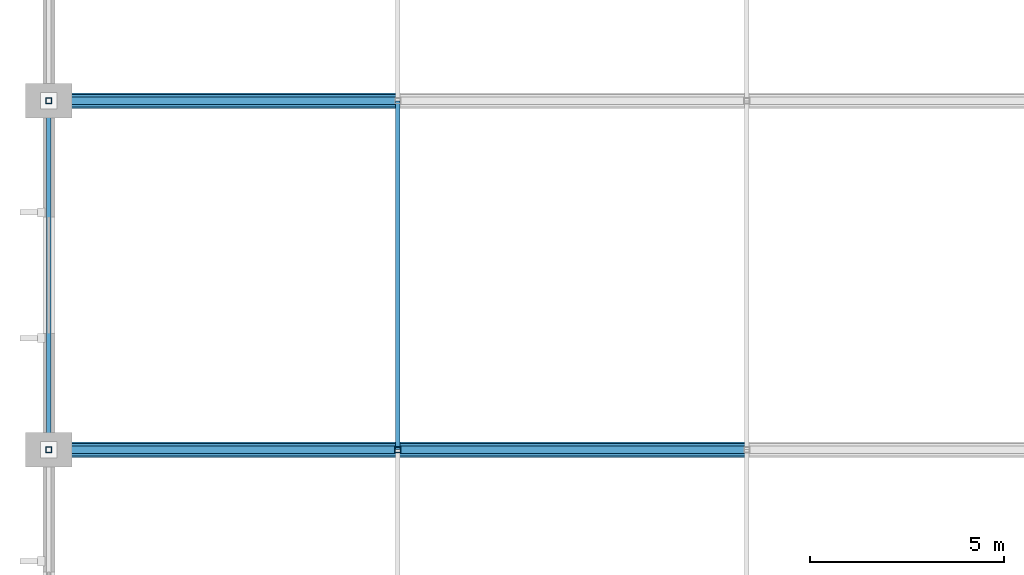
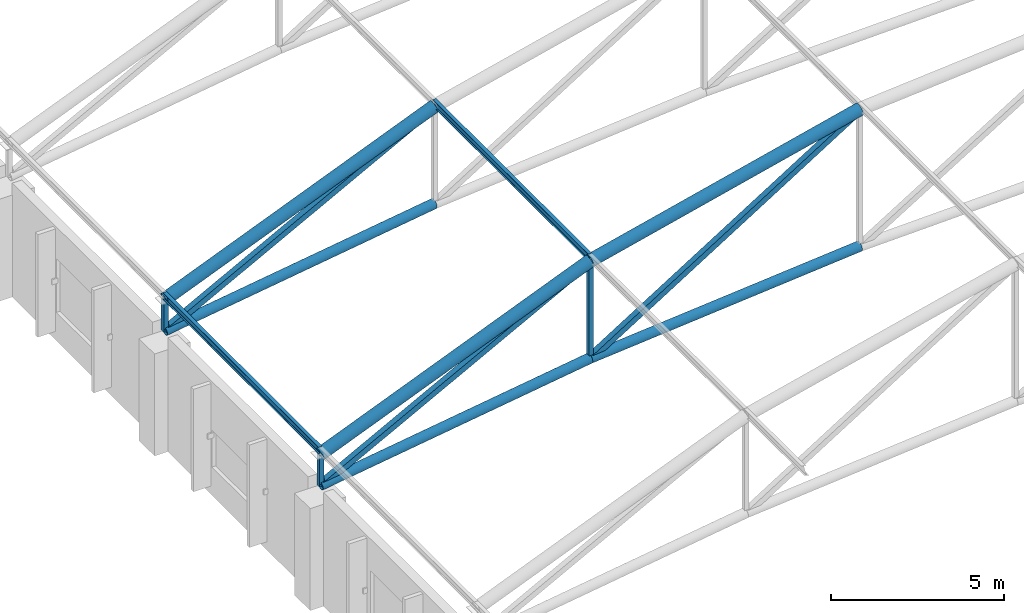
# One storey, part 43 of 167: 14 members.
"""IFC4 building model written with IfcOpenShell, lengths in metres."""

from ifc_helpers import new_model, si_unit, direction, frame, origin, origin_2d, place, context, subcontext, project, spatial, hollow_rectangle, hollow_circle, i_section, extrude, material, material_profile, profile_set, type_object, element, save


model = new_model("IFC4")

# Units and contexts
model_context = context("Model", 3, precision=1e-05, world=origin(), true_north=direction((0.0, 1.0)))
body_context = subcontext(model_context, "Body", "Model", "MODEL_VIEW")
ifc_project = project(units=[si_unit("LENGTHUNIT", "METRE"), si_unit("AREAUNIT", "SQUARE_METRE"), si_unit("VOLUMEUNIT", "CUBIC_METRE"), si_unit("PLANEANGLEUNIT", "RADIAN"), si_unit("MASSUNIT", "GRAM", prefix="KILO")], contexts=[model_context])

# Site, building, storey
site_placement = place(None, origin())
site = spatial("IfcSite", under=ifc_project, at=site_placement, CompositionType="ELEMENT")
building_placement = place(site_placement, origin())
building = spatial("IfcBuilding", under=site, at=building_placement, Name="Dornveld Trade and Exhibition Forum", CompositionType="ELEMENT")
storey_placement = place(building_placement, frame((0.0, 0.0, 16.800048828125)))
storey = spatial("IfcBuildingStorey", under=building, at=storey_placement, Name="L03", CompositionType="ELEMENT", Elevation=16.800048828125)

# Members
ifc_material_1 = material(Name="Steel S355J2", Category="steel")
ifc_material_profile_1 = material_profile(ifc_material_1, hollow_circle(Radius=0.161865234375, WallThickness=0.01611328125, at=origin_2d()), Name="CHS 323.9x16")
ifc_profile_set_1 = profile_set([ifc_material_profile_1], Name="Steel S355J2")
member_type_1 = type_object("IfcMemberType", Name="MEM-ARCH-BC", PredefinedType="CHORD", material=ifc_profile_set_1)
member_1_placement = place(storey_placement, frame((27.0, 81.0, 3.949951171875), z_axis=(0.989204758987, 0.0, 0.146539908551), x_axis=(0.0, 1.0, 0.0)))
element("IfcMember", 1, at=member_1_placement, inside=storey, type_object=member_type_1, Name="H3 truss 6 tie chord 1", PredefinedType="CHORD", context=body_context, shape_type="SweptSolid", body=[
    extrude(hollow_circle(Radius=0.161865234375, WallThickness=0.01611328125, at=origin_2d()), origin(), (0.0, 0.0, 1.0), 9.09814453125),
])
member_2_placement = place(storey_placement, frame((36.0, 81.0, 5.283203125), z_axis=(0.996072164085, 0.0, 0.088545151956), x_axis=(0.0, 1.0, 0.0)))
element("IfcMember", 2, at=member_2_placement, inside=storey, type_object=member_type_1, Name="H3 truss 6 tie chord 2", PredefinedType="CHORD", context=body_context, shape_type="SweptSolid", body=[
    extrude(hollow_circle(Radius=0.161865234375, WallThickness=0.01611328125, at=origin_2d()), origin(), (0.0, 0.0, 1.0), 9.035400390625),
])
member_3_placement = place(storey_placement, frame((27.0, 90.0, 3.949951171875), z_axis=(0.989204758987, 0.0, 0.146539908551), x_axis=(0.0, 1.0, 0.0)))
element("IfcMember", 3, at=member_3_placement, inside=storey, type_object=member_type_1, Name="H3 truss 7 tie chord 1", PredefinedType="CHORD", context=body_context, shape_type="SweptSolid", body=[
    extrude(hollow_circle(Radius=0.161865234375, WallThickness=0.01611328125, at=origin_2d()), origin(), (0.0, 0.0, 1.0), 9.09814453125),
])
ifc_material_2 = material(Name="Steel S355J2", Category="steel")
ifc_material_profile_2 = material_profile(ifc_material_2, hollow_rectangle(XDim=0.14990234375, YDim=0.14990234375, WallThickness=0.008056640625, at=origin_2d()), Name="SHS 150x150x8")
ifc_profile_set_2 = profile_set([ifc_material_profile_2], Name="Steel S355J2")
member_type_2 = type_object("IfcMemberType", Name="MEM-ARCH-STR", PredefinedType="STRUT", material=ifc_profile_set_2)
member_4_placement = place(storey_placement, frame((27.0, 81.0, 3.949951171875), z_axis=(0.0, 0.0, 1.0), x_axis=(1.0, 0.0, 0.0)))
element("IfcMember", 4, at=member_4_placement, inside=storey, type_object=member_type_2, Name="H3 truss 6 strut 1", PredefinedType="STRUT", context=body_context, shape_type="SweptSolid", body=[
    extrude(hollow_rectangle(XDim=0.14990234375, YDim=0.14990234375, WallThickness=0.008056640625, at=origin_2d()), origin(), (0.0, 0.0, 1.0), 1.10009765625),
])
member_5_placement = place(storey_placement, frame((36.0, 81.0, 5.283203125), z_axis=(0.0, 0.0, 1.0), x_axis=(1.0, 0.0, 0.0)))
element("IfcMember", 5, at=member_5_placement, inside=storey, type_object=member_type_2, Name="H3 truss 6 strut 2", PredefinedType="STRUT", context=body_context, shape_type="SweptSolid", body=[
    extrude(hollow_rectangle(XDim=0.14990234375, YDim=0.14990234375, WallThickness=0.008056640625, at=origin_2d()), origin(), (0.0, 0.0, 1.0), 3.433349609375),
])
member_6_placement = place(storey_placement, frame((27.0, 90.0, 3.949951171875), z_axis=(0.0, 0.0, 1.0), x_axis=(1.0, 0.0, 0.0)))
element("IfcMember", 6, at=member_6_placement, inside=storey, type_object=member_type_2, Name="H3 truss 7 strut 1", PredefinedType="STRUT", context=body_context, shape_type="SweptSolid", body=[
    extrude(hollow_rectangle(XDim=0.14990234375, YDim=0.14990234375, WallThickness=0.008056640625, at=origin_2d()), origin(), (0.0, 0.0, 1.0), 1.10009765625),
])
ifc_material_3 = material(Name="Steel S355J2", Category="steel")
ifc_material_profile_3 = material_profile(ifc_material_3, hollow_circle(Radius=0.203125, WallThickness=0.02001953125, at=origin_2d()), Name="CHS 406.4x20")
ifc_profile_set_3 = profile_set([ifc_material_profile_3], Name="Steel S355J2")
member_type_3 = type_object("IfcMemberType", Name="MEM-ARCH-TC", PredefinedType="CHORD", material=ifc_profile_set_3)
member_7_placement = place(storey_placement, frame((27.0, 81.0, 5.050048828125), z_axis=(0.926098211611, 0.0, 0.377282523383), x_axis=(0.0, 1.0, 0.0)))
element("IfcMember", 7, at=member_7_placement, inside=storey, type_object=member_type_3, Name="H3 truss 6 top chord 1", PredefinedType="CHORD", context=body_context, shape_type="SweptSolid", body=[
    extrude(hollow_circle(Radius=0.203125, WallThickness=0.02001953125, at=origin_2d()), origin(), (0.0, 0.0, 1.0), 9.71826171875),
])
member_8_placement = place(storey_placement, frame((36.0, 81.0, 8.716552734375), z_axis=(0.971394143806, 0.0, 0.237472982421), x_axis=(0.0, 1.0, 0.0)))
element("IfcMember", 8, at=member_8_placement, inside=storey, type_object=member_type_3, Name="H3 truss 6 top chord 2", PredefinedType="CHORD", context=body_context, shape_type="SweptSolid", body=[
    extrude(hollow_circle(Radius=0.203125, WallThickness=0.02001953125, at=origin_2d()), origin(), (0.0, 0.0, 1.0), 9.26513671875),
])
member_9_placement = place(storey_placement, frame((27.0, 90.0, 5.050048828125), z_axis=(0.926098211611, 0.0, 0.377282523383), x_axis=(0.0, 1.0, 0.0)))
element("IfcMember", 9, at=member_9_placement, inside=storey, type_object=member_type_3, Name="H3 truss 7 top chord 1", PredefinedType="CHORD", context=body_context, shape_type="SweptSolid", body=[
    extrude(hollow_circle(Radius=0.203125, WallThickness=0.02001953125, at=origin_2d()), origin(), (0.0, 0.0, 1.0), 9.71826171875),
])
ifc_material_4 = material(Name="Steel S355J2", Category="steel")
ifc_material_profile_4 = material_profile(ifc_material_4, hollow_rectangle(XDim=0.199951171875, YDim=0.199951171875, WallThickness=0.010009765625, at=origin_2d()), Name="SHS 200x200x10")
ifc_profile_set_4 = profile_set([ifc_material_profile_4], Name="Steel S355J2")
member_type_4 = type_object("IfcMemberType", Name="MEM-ARCH-WEB", PredefinedType="BRACE", material=ifc_profile_set_4)
member_10_placement = place(storey_placement, frame((27.0, 81.0, 3.949951171875), z_axis=(0.883710934211, 0.0, 0.468033102201), x_axis=(0.0, 1.0, 0.0)))
element("IfcMember", 10, at=member_10_placement, inside=storey, type_object=member_type_4, Name="H3 truss 6 web 1", PredefinedType="BRACE", context=body_context, shape_type="SweptSolid", body=[
    extrude(hollow_rectangle(XDim=0.199951171875, YDim=0.199951171875, WallThickness=0.010009765625, at=origin_2d()), origin(), (0.0, 0.0, 1.0), 10.184326171875),
])
member_11_placement = place(storey_placement, frame((36.0, 81.0, 5.283203125), z_axis=(0.84763640931, 0.0, 0.53057753214), x_axis=(0.0, 1.0, 0.0)))
element("IfcMember", 11, at=member_11_placement, inside=storey, type_object=member_type_4, Name="H3 truss 6 web 2", PredefinedType="BRACE", context=body_context, shape_type="SweptSolid", body=[
    extrude(hollow_rectangle(XDim=0.199951171875, YDim=0.199951171875, WallThickness=0.010009765625, at=origin_2d()), origin(), (0.0, 0.0, 1.0), 10.61767578125),
])
member_12_placement = place(storey_placement, frame((27.0, 90.0, 3.949951171875), z_axis=(0.883710934211, 0.0, 0.468033102201), x_axis=(0.0, 1.0, 0.0)))
element("IfcMember", 12, at=member_12_placement, inside=storey, type_object=member_type_4, Name="H3 truss 7 web 1", PredefinedType="BRACE", context=body_context, shape_type="SweptSolid", body=[
    extrude(hollow_rectangle(XDim=0.199951171875, YDim=0.199951171875, WallThickness=0.010009765625, at=origin_2d()), origin(), (0.0, 0.0, 1.0), 10.184326171875),
])
ifc_material_5 = material(Name="Steel S355J2", Category="steel")
ifc_material_profile_5 = material_profile(ifc_material_5, i_section(OverallWidth=0.1201171875, OverallDepth=0.239990234375, WebThickness=0.006103515625, FlangeThickness=0.009765625, FilletRadius=0.014892578125, at=origin_2d()), Name="IPE 240")
ifc_profile_set_5 = profile_set([ifc_material_profile_5], Name="Steel S355J2")
member_type_5 = type_object("IfcMemberType", Name="MEM-PURLIN-240", PredefinedType="PURLIN", material=ifc_profile_set_5)
for number, where, z_axis, x_axis, name in (
    (13, (27.0, 81.0, 5.181884765625), (0.0, 1.0, 0.0), (-1.0, 0.0, 0.0), "H3 bay 6 roof purlin 1"),
    (14, (36.0, 81.0, 8.8486328125), (0.0, 1.0, 0.0), (-1.0, 0.0, 0.0), "H3 bay 6 roof purlin 2"),
):
    element("IfcMember", number, at=place(storey_placement, frame(where, z_axis=z_axis, x_axis=x_axis)), inside=storey, type_object=member_type_5, Name=name, PredefinedType="PURLIN", context=body_context, shape_type="SweptSolid", body=[
        extrude(i_section(OverallWidth=0.1201171875, OverallDepth=0.239990234375, WebThickness=0.006103515625, FlangeThickness=0.009765625, FilletRadius=0.014892578125, at=origin_2d()), origin(), (0.0, 0.0, 1.0), 9.0),
    ])

save(model, "model.ifc")
